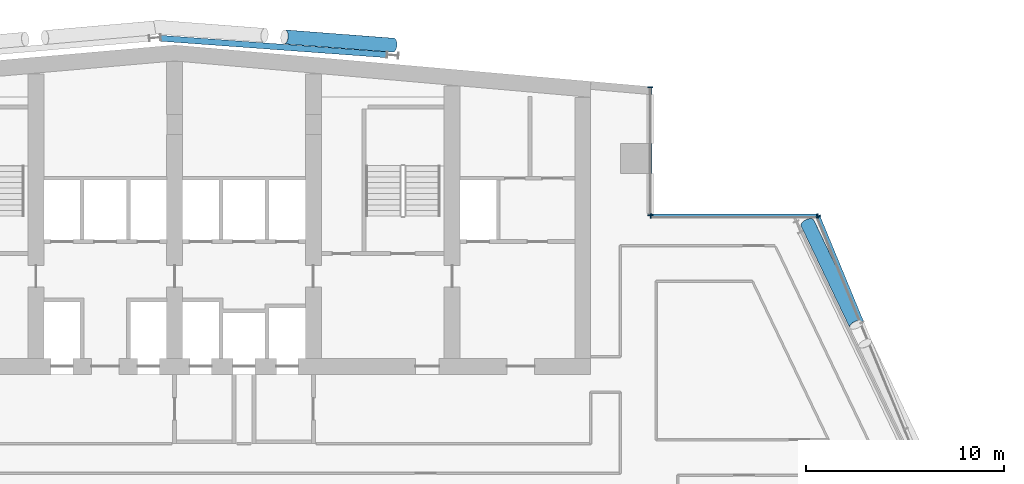
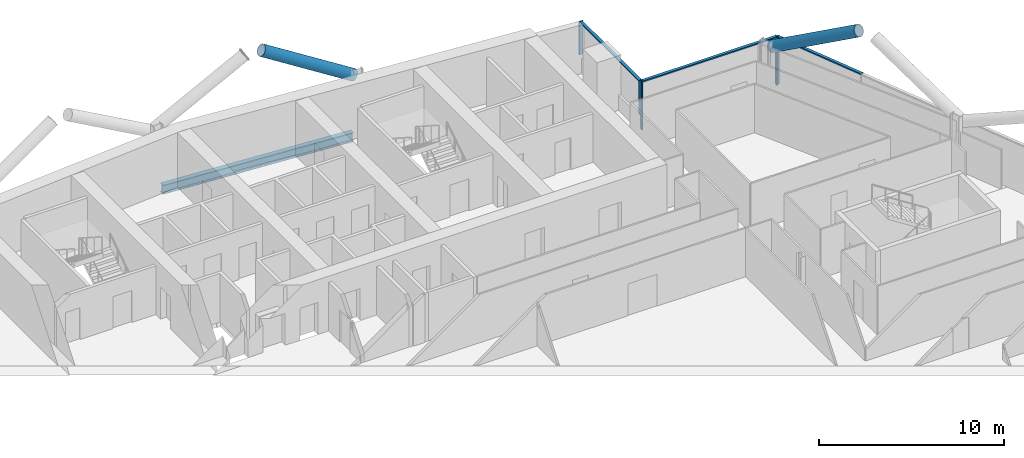
# One storey, part 10 of 27: 10 members, 1 beam, 3 elements without a shape of their own.
"""IFC4 building model written with IfcOpenShell, lengths in metres."""

import ifcopenshell
import ifcopenshell.guid

model = None  # the IFC model being written
_history = None  # IfcOwnerHistory: only IFC2X3 demands one
_inside = {}  # id of a spatial element -> (the spatial element, [elements in it])
_under = {}  # id of a project, library or spatial element -> (it, [spatial elements below it])
_declared = {}  # id of a project -> (the project, [libraries it declares])
_typed = {}  # id of a type object -> (the type object, [elements of that type])
_made_of = {}  # id of a material, layer set ... -> (it, [elements and type objects made of it])


def new_model(schema):
    """Start an empty IFC model of exactly this schema.

    Asked for "IFC4X3", IfcOpenShell would pick the latest addendum, in which some entities
    have other attributes; the version numbers below select the first issue.
    IFC2X3 requires an IfcOwnerHistory on every rooted entity: one is made here for all.
    """
    global model, _history
    if schema == "IFC4X3":
        model = ifcopenshell.file(schema_version=(4, 3, 0, 0))
    else:
        model = ifcopenshell.file(schema=schema)
    _inside.clear()
    _under.clear()
    _declared.clear()
    _typed.clear()
    _made_of.clear()
    _history = None
    if model.schema == "IFC2X3":
        org = make("IfcOrganization", Name="unknown")
        user = make(
            "IfcPersonAndOrganization",
            ThePerson=make("IfcPerson", FamilyName="unknown"),
            TheOrganization=org,
        )
        app = make(
            "IfcApplication",
            ApplicationDeveloper=org,
            Version="unknown",
            ApplicationFullName="unknown",
            ApplicationIdentifier="unknown",
        )
        _history = make(
            "IfcOwnerHistory",
            OwningUser=user,
            OwningApplication=app,
            ChangeAction="ADDED",
            CreationDate=0,
        )
    return model


def make(cls, **values):
    """One entity of the class cls with the attributes given. An attribute that is None is left unset."""
    return model.create_entity(
        cls, **{name: value for name, value in values.items() if value is not None}
    )


def rooted(cls, **values):
    """An entity with a GlobalId (a new one), such as an element, a storey or a relation."""
    return make(cls, GlobalId=ifcopenshell.guid.new(), OwnerHistory=_history, **values)


def si_unit(unit_type, name, prefix=None):
    """IfcSIUnit, for example si_unit("LENGTHUNIT", "METRE", prefix="MILLI")."""
    return make("IfcSIUnit", UnitType=unit_type, Prefix=prefix, Name=name)


def assignment(units):
    """IfcUnitAssignment: the units of a project."""
    return None if units is None else make("IfcUnitAssignment", Units=units)


def point(xyz):
    """IfcCartesianPoint."""
    return None if xyz is None else make("IfcCartesianPoint", Coordinates=xyz)


def direction(xyz):
    """IfcDirection."""
    return None if xyz is None else make("IfcDirection", DirectionRatios=xyz)


def frame(location, z_axis=None, x_axis=None):
    """IfcAxis2Placement3D, a coordinate frame: its origin and axes. An axis left out is left unset."""
    return make(
        "IfcAxis2Placement3D",
        Location=point(location),
        Axis=direction(z_axis),
        RefDirection=direction(x_axis),
    )


def frame_2d(location, x_axis=None):
    """IfcAxis2Placement2D, a coordinate frame in the plane: its origin and x axis."""
    return make(
        "IfcAxis2Placement2D", Location=point(location), RefDirection=direction(x_axis)
    )


def origin():
    """The frame at (0, 0, 0) with its axes left unset."""
    return frame((0.0, 0.0, 0.0))


def origin_2d():
    """The frame at (0, 0) in the plane with its x axis left unset."""
    return frame_2d((0.0, 0.0))


def place(relative_to, where):
    """IfcLocalPlacement: puts the frame where relative to a parent placement (None: the world)."""
    return make(
        "IfcLocalPlacement", PlacementRelTo=relative_to, RelativePlacement=where
    )


def context(
    kind, dimensions, precision=None, world=None, true_north=None, identifier=None
):
    """IfcGeometricRepresentationContext, for example the 3D "Model" context."""
    return make(
        "IfcGeometricRepresentationContext",
        ContextIdentifier=identifier,
        ContextType=kind,
        CoordinateSpaceDimension=dimensions,
        Precision=precision,
        WorldCoordinateSystem=world,
        TrueNorth=true_north,
    )


def subcontext(parent, identifier, kind, view, scale=None):
    """IfcGeometricRepresentationSubContext, for example "Body" below "Model"."""
    return make(
        "IfcGeometricRepresentationSubContext",
        ContextIdentifier=identifier,
        ContextType=kind,
        ParentContext=parent,
        TargetScale=scale,
        TargetView=view,
    )


def project(units=None, contexts=None):
    """IfcProject with its units and contexts."""
    return rooted(
        "IfcProject",
        Name="project",
        RepresentationContexts=contexts,
        UnitsInContext=assignment(units),
    )


def spatial(cls, under=None, at=None, **own):
    """A site, building, storey or space (cls), placed at a placement, below another one or the project."""
    s = rooted(cls, ObjectPlacement=at, **own)
    if under is not None:
        _under.setdefault(under.id(), (under, []))[1].append(s)
    return s


def profile(cls, at=None, kind="AREA", **sizes):
    """A parametric profile (cls). Its sizes go by their IFC names, for example OverallWidth=200.0."""
    return make(cls, ProfileType=kind, Position=at, **sizes)


def rectangle(**sizes):
    """IfcRectangleProfileDef."""
    return profile("IfcRectangleProfileDef", **sizes)


def hollow_circle(**sizes):
    """IfcCircleHollowProfileDef."""
    return profile("IfcCircleHollowProfileDef", **sizes)


def i_section(**sizes):
    """IfcIShapeProfileDef."""
    return profile("IfcIShapeProfileDef", **sizes)


def extrude(swept, where, along, depth):
    """IfcExtrudedAreaSolid: the profile swept, set in the frame where, extruded along a direction by depth."""
    return make(
        "IfcExtrudedAreaSolid",
        SweptArea=swept,
        Position=where,
        ExtrudedDirection=direction(along),
        Depth=depth,
    )


def shape(context_of_items, identifier, shape_type, items):
    """IfcShapeRepresentation: the items that make up one representation, for example the "Body"."""
    return make(
        "IfcShapeRepresentation",
        ContextOfItems=context_of_items,
        RepresentationIdentifier=identifier,
        RepresentationType=shape_type,
        Items=items,
    )


def material(Name=None, Category=None):
    """IfcMaterial."""
    return make("IfcMaterial", Name=Name, Category=Category)


def material_profile(
    of_material, cross_section, Name=None, Category=None, Priority=None
):
    """IfcMaterialProfile: a cross section and its material."""
    return make(
        "IfcMaterialProfile",
        Name=Name,
        Material=of_material,
        Profile=cross_section,
        Priority=Priority,
        Category=Category,
    )


def profile_set(profiles, Name=None, composite=None):
    """IfcMaterialProfileSet."""
    return make(
        "IfcMaterialProfileSet",
        Name=Name,
        MaterialProfiles=profiles,
        CompositeProfile=composite,
    )


def made_of(thing, what):
    """Note that an element or type object is made of a material, layer set ...; save() writes the relation."""
    if what is not None:
        _made_of.setdefault(what.id(), (what, []))[1].append(thing)
    return thing


def type_object(cls, material=None, **own):
    """A type object (cls), such as IfcWallType, which elements share."""
    return made_of(rooted(cls, **own), material)


def element(
    cls,
    number,
    at=None,
    inside=None,
    cuts=None,
    type_object=None,
    material=None,
    context=None,
    identifier="Body",
    shape_type=None,
    held_by="IfcProductDefinitionShape",
    body=None,
    shapes=None,
    **own,
):
    """One element of the class cls, such as IfcWall. Its Tag is "e" and its number.

    at: its placement. inside: the storey or other place that contains it. cuts: it is an
    opening in that element (IfcRelVoidsElement). A single representation is given by context,
    identifier, shape_type and body (its items); several are given by shapes. held_by: the class
    of the entity that holds the representations. save() writes the other relations.
    """
    e = rooted(cls, Tag="e%d" % number, ObjectPlacement=at, **own)
    if body is not None:
        shapes = [shape(context, identifier, shape_type, body)]
    if shapes is not None:
        e.Representation = make(held_by, Representations=shapes)
    if inside is not None:
        _inside.setdefault(inside.id(), (inside, []))[1].append(e)
    if cuts is not None:
        rooted(
            "IfcRelVoidsElement", RelatingBuildingElement=cuts, RelatedOpeningElement=e
        )
    if type_object is not None:
        _typed.setdefault(type_object.id(), (type_object, []))[1].append(e)
    return made_of(e, material)


def aggregate(whole, parts):
    """IfcRelAggregates: a whole, such as a stair, and the parts it consists of."""
    return rooted("IfcRelAggregates", RelatingObject=whole, RelatedObjects=parts)


def save(model, path):
    """Write the relations noted so far, then the file.

    IfcRelAggregates (storeys below a building ...), IfcRelContainedInSpatialStructure (elements
    in a storey), IfcRelDefinesByType, IfcRelAssociatesMaterial and IfcRelDeclares: one each for
    every whole, place, type object, material and project.
    """
    for whole, parts in _under.values():
        aggregate(whole, parts)
    for where, things in _inside.values():
        rooted(
            "IfcRelContainedInSpatialStructure",
            RelatedElements=things,
            RelatingStructure=where,
        )
    for kind, things in _typed.values():
        rooted("IfcRelDefinesByType", RelatedObjects=things, RelatingType=kind)
    for what, things in _made_of.values():
        rooted("IfcRelAssociatesMaterial", RelatedObjects=things, RelatingMaterial=what)
    for by, libraries in _declared.values():
        rooted("IfcRelDeclares", RelatingContext=by, RelatedDefinitions=libraries)
    model.write(path)


model = new_model("IFC4")

# Units and contexts
model_context = context("Model", 3, precision=1e-05, world=origin(), true_north=direction((0.0, 1.0)))
body_context = subcontext(model_context, "Body", "Model", "MODEL_VIEW")
ifc_project = project(units=[si_unit("LENGTHUNIT", "METRE"), si_unit("AREAUNIT", "SQUARE_METRE"), si_unit("VOLUMEUNIT", "CUBIC_METRE"), si_unit("PLANEANGLEUNIT", "RADIAN"), si_unit("MASSUNIT", "GRAM", prefix="KILO")], contexts=[model_context])

# Site, building, storey
site_placement = place(None, origin())
site = spatial("IfcSite", under=ifc_project, at=site_placement, CompositionType="ELEMENT")
building_placement = place(site_placement, origin())
building = spatial("IfcBuilding", under=site, at=building_placement, Name="Wharfspan Tower", CompositionType="ELEMENT")
storey_placement = place(building_placement, frame((0.0, 0.0, 191.5)))
storey = spatial("IfcBuildingStorey", under=building, at=storey_placement, Name="L47", CompositionType="ELEMENT", Elevation=191.5)

# Beam
ifc_material_1 = material(Name="Steel S355J2", Category="steel")
ifc_material_profile_1 = material_profile(ifc_material_1, i_section(OverallWidth=0.300049, OverallDepth=0.600098, WebThickness=0.015381, FlangeThickness=0.030029, FilletRadius=0.0271, at=origin_2d()))
ifc_profile_set_1 = profile_set([ifc_material_profile_1], Name="Steel S355J2")
beam_type = type_object("IfcBeamType", Name="Edge beam HEB 600", PredefinedType="SPANDREL", material=ifc_profile_set_1)
beam_placement = place(storey_placement, frame((36.299072, 50.965332, -0.699951), z_axis=(0.997353, -0.072713, 0.0), x_axis=(0.072713, 0.997353, 0.0)))
element("IfcBeam", 1, at=beam_placement, inside=storey, type_object=beam_type, Name="Edge beam L47 R.2 to R.3", PredefinedType="SPANDREL", context=body_context, shape_type="SweptSolid", body=[
    extrude(i_section(OverallWidth=0.300049, OverallDepth=0.600098, WebThickness=0.015381, FlangeThickness=0.030029, FilletRadius=0.0271, at=origin_2d()), origin(), (0.0, 0.0, 1.0), 11.436035),
])

# Curtain wall, member
ifc_material_2 = material(Name="Aluminium 6063-T6", Category="aluminium")
curtain_wall_type = type_object("IfcCurtainWallType", Name="CURTAIN WALL PROW AND END", PredefinedType="NOTDEFINED", material=ifc_material_2)
curtain_wall_1_placement = place(storey_placement, origin())
curtain_wall_1 = element("IfcCurtainWall", 2, at=curtain_wall_1_placement, inside=storey, type_object=curtain_wall_type, Name="Curtain wall E", PredefinedType="NOTDEFINED")
ifc_material_profile_2 = material_profile(ifc_material_2, rectangle(XDim=0.23999, YDim=0.060059, at=origin_2d()))
ifc_profile_set_2 = profile_set([ifc_material_profile_2], Name="Aluminium 6063-T6")
member_type_1 = type_object("IfcMemberType", Name="MULLION PROW AND END 60x240", PredefinedType="MULLION", material=ifc_profile_set_2)
member_1_placement = place(storey_placement, frame((69.488525, 41.972168, 0.0), z_axis=(0.0, 0.0, 1.0), x_axis=(-0.924325, -0.381602, 0.0)))
member_1 = element("IfcMember", 3, at=member_1_placement, type_object=member_type_1, Name="Curtain wall E mullion 8", PredefinedType="MULLION", context=body_context, shape_type="SweptSolid", body=[
    extrude(rectangle(XDim=0.23999, YDim=0.060059, at=origin_2d()), origin(), (0.0, 0.0, 1.0), 3.199951),
])

# Curtain wall, members
curtain_wall_2_placement = place(storey_placement, origin())
curtain_wall_2 = element("IfcCurtainWall", 4, at=curtain_wall_2_placement, inside=storey, type_object=curtain_wall_type, Name="Curtain wall NRE-H", PredefinedType="NOTDEFINED")
member_2_placement = place(storey_placement, frame((69.447021, 42.0, 0.0), z_axis=(0.0, 0.0, 1.0), x_axis=(0.0, -1.0, 0.0)))
member_2 = element("IfcMember", 5, at=member_2_placement, type_object=member_type_1, Name="Curtain wall NRE-H mullion 1", PredefinedType="MULLION", context=body_context, shape_type="SweptSolid", body=[
    extrude(rectangle(XDim=0.23999, YDim=0.060059, at=origin_2d()), origin(), (0.0, 0.0, 1.0), 3.199951),
])
member_3_placement = place(storey_placement, frame((61.030029, 42.0, 0.0), z_axis=(0.0, 0.0, 1.0), x_axis=(0.0, -1.0, 0.0)))
member_3 = element("IfcMember", 6, at=member_3_placement, type_object=member_type_1, Name="Curtain wall NRE-H mullion 2", PredefinedType="MULLION", context=body_context, shape_type="SweptSolid", body=[
    extrude(rectangle(XDim=0.23999, YDim=0.060059, at=origin_2d()), origin(), (0.0, 0.0, 1.0), 3.199951),
])

curtain_wall_3_placement = place(storey_placement, origin())
curtain_wall_3 = element("IfcCurtainWall", 7, at=curtain_wall_3_placement, inside=storey, type_object=curtain_wall_type, Name="Curtain wall NRE-V", PredefinedType="NOTDEFINED")
member_4_placement = place(storey_placement, frame((61.0, 42.030029, 1.0), z_axis=(0.0, 0.0, 1.0), x_axis=(-1.0, 0.0, 0.0)))
member_4 = element("IfcMember", 8, at=member_4_placement, type_object=member_type_1, Name="Curtain wall NRE-V mullion 1", PredefinedType="MULLION", context=body_context, shape_type="SweptSolid", body=[
    extrude(rectangle(XDim=0.23999, YDim=0.060059, at=origin_2d()), origin(), (0.0, 0.0, 1.0), 2.199951),
])
member_5_placement = place(storey_placement, frame((61.0, 48.494873, 1.0), z_axis=(0.0, 0.0, 1.0), x_axis=(-1.0, 0.0, 0.0)))
member_5 = element("IfcMember", 9, at=member_5_placement, type_object=member_type_1, Name="Curtain wall NRE-V mullion 2", PredefinedType="MULLION", context=body_context, shape_type="SweptSolid", body=[
    extrude(rectangle(XDim=0.23999, YDim=0.060059, at=origin_2d()), origin(), (0.0, 0.0, 1.0), 2.199951),
])

# Members
ifc_material_3 = material(Name="Steel S460NH", Category="steel")
ifc_material_profile_3 = material_profile(ifc_material_3, hollow_circle(Radius=0.355469, WallThickness=0.035889, at=origin_2d()))
ifc_profile_set_3 = profile_set([ifc_material_profile_3], Name="Steel S460NH")
member_type_2 = type_object("IfcMemberType", Name="Mega brace CHS 711x36", PredefinedType="BRACE", material=ifc_profile_set_3)
member_6_placement = place(storey_placement, frame((68.938721, 41.643066, 2.899902), z_axis=(0.374112, -0.780716, 0.500522), x_axis=(0.901807, 0.432139, 2e-06)))
element("IfcMember", 10, at=member_6_placement, inside=storey, type_object=member_type_2, Name="Mega brace E6 L48 part 3", PredefinedType="BRACE", context=body_context, shape_type="SweptSolid", body=[
    extrude(hollow_circle(Radius=0.355469, WallThickness=0.035889, at=origin_2d()), origin(), (0.0, 0.0, 1.0), 6.582031),
])
member_7_placement = place(storey_placement, frame((48.036865, 50.617676, 2.899902), z_axis=(-0.855596, 0.065362, 0.513502), x_axis=(-0.076171, -0.997095, 1e-06)))
element("IfcMember", 11, at=member_7_placement, inside=storey, type_object=member_type_2, Name="Mega brace N8 L48 part 3", PredefinedType="BRACE", context=body_context, shape_type="SweptSolid", body=[
    extrude(hollow_circle(Radius=0.355469, WallThickness=0.035889, at=origin_2d()), origin(), (0.0, 0.0, 1.0), 6.420898),
])

# Member
ifc_material_profile_4 = material_profile(ifc_material_2, rectangle(XDim=0.179932, YDim=0.080078, at=origin_2d()))
ifc_profile_set_4 = profile_set([ifc_material_profile_4], Name="Aluminium 6063-T6")
member_type_3 = type_object("IfcMemberType", Name="TRANSOM PROW AND END 80x180", PredefinedType="USERDEFINED", material=ifc_profile_set_4)
member_8_placement = place(storey_placement, frame((71.683105, 36.65625, 3.159912), z_axis=(-0.38158, 0.924336, 0.0), x_axis=(-0.924336, -0.38158, 0.0)))
member_8 = element("IfcMember", 12, at=member_8_placement, type_object=member_type_3, Name="Curtain wall E transom 7", ObjectType="TRANSOM", PredefinedType="USERDEFINED", context=body_context, shape_type="SweptSolid", body=[
    extrude(rectangle(XDim=0.179932, YDim=0.080078, at=origin_2d()), origin(), (0.0, 0.0, 1.0), 5.721191),
])

aggregate(curtain_wall_1, [member_1, member_8])

member_9_placement = place(storey_placement, frame((69.416992, 42.0, 3.159912), z_axis=(-1.0, 0.0, 0.0), x_axis=(0.0, -1.0, 0.0)))
member_9 = element("IfcMember", 13, at=member_9_placement, type_object=member_type_3, Name="Curtain wall NRE-H transom 1", ObjectType="TRANSOM", PredefinedType="USERDEFINED", context=body_context, shape_type="SweptSolid", body=[
    extrude(rectangle(XDim=0.179932, YDim=0.080078, at=origin_2d()), origin(), (0.0, 0.0, 1.0), 8.356934),
])

aggregate(curtain_wall_2, [member_2, member_3, member_9])

member_10_placement = place(storey_placement, frame((61.0, 42.060059, 3.159912), z_axis=(0.0, 1.0, 0.0), x_axis=(-1.0, 0.0, 0.0)))
member_10 = element("IfcMember", 14, at=member_10_placement, type_object=member_type_3, Name="Curtain wall NRE-V transom 1", ObjectType="TRANSOM", PredefinedType="USERDEFINED", context=body_context, shape_type="SweptSolid", body=[
    extrude(rectangle(XDim=0.179932, YDim=0.080078, at=origin_2d()), origin(), (0.0, 0.0, 1.0), 6.404785),
])

aggregate(curtain_wall_3, [member_4, member_5, member_10])

save(model, "model.ifc")
